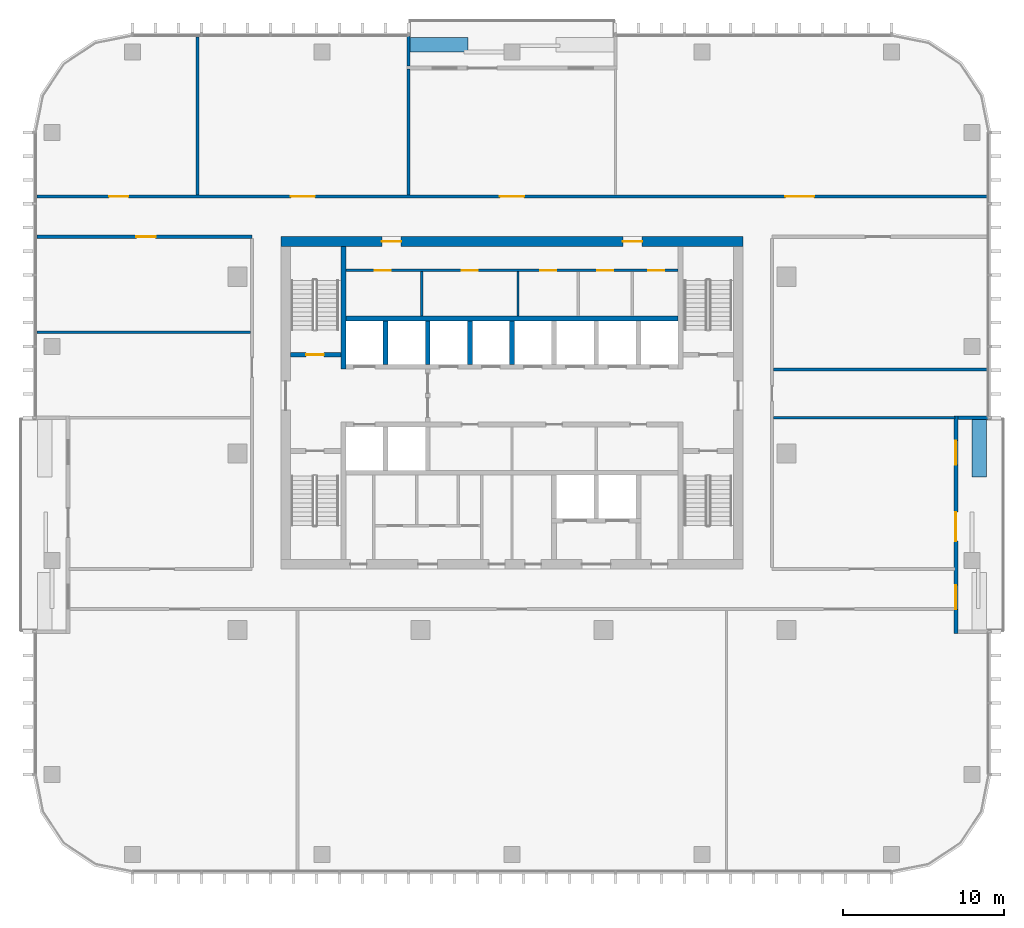
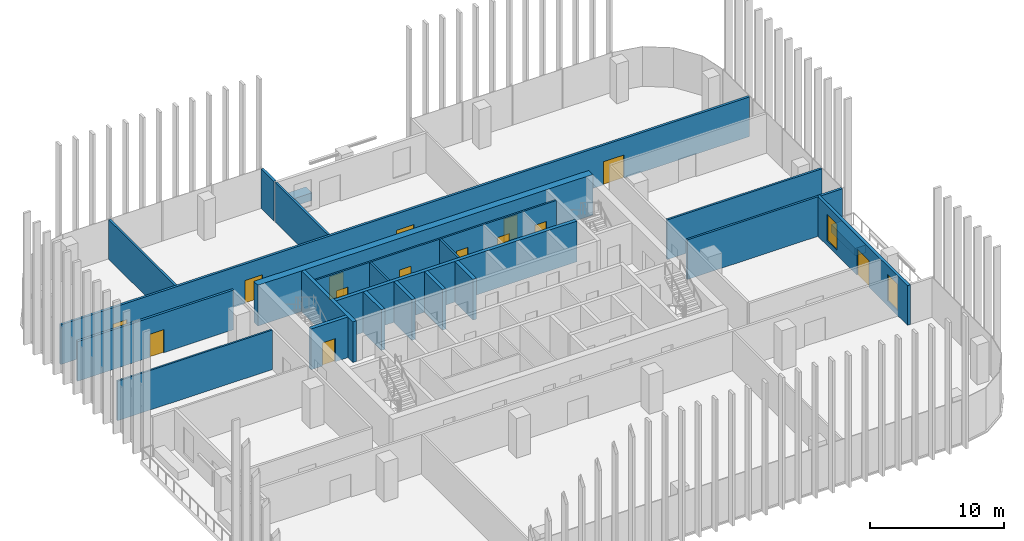
# One storey, part 9 of 16: 23 walls, 14 doors, 2 windows, 16 openings.
"""IFC4 building model written with IfcOpenShell, lengths in metres."""

from ifc_helpers import new_model, si_unit, direction, frame, frame_2d, origin, place, context, subcontext, project, spatial, rectangle, extrude, material, layer, layer_set, type_object, element, fill, save


model = new_model("IFC4")

# Units and contexts
model_context = context("Model", 3, precision=1e-05, world=origin(), true_north=direction((0.0, 1.0)))
body_context = subcontext(model_context, "Body", "Model", "MODEL_VIEW")
ifc_project = project(units=[si_unit("LENGTHUNIT", "METRE"), si_unit("AREAUNIT", "SQUARE_METRE"), si_unit("VOLUMEUNIT", "CUBIC_METRE"), si_unit("PLANEANGLEUNIT", "RADIAN"), si_unit("MASSUNIT", "GRAM", prefix="KILO")], contexts=[model_context])

# Site, building, storey
site_placement = place(None, origin())
site = spatial("IfcSite", under=ifc_project, at=site_placement, CompositionType="ELEMENT")
building_placement = place(site_placement, origin())
building = spatial("IfcBuilding", under=site, at=building_placement, Name="Mopane Tessera Tower", CompositionType="ELEMENT")
storey_placement = place(building_placement, frame((0.0, 0.0, 267.39990234375)))
storey = spatial("IfcBuildingStorey", under=building, at=storey_placement, Name="L57", CompositionType="ELEMENT", Elevation=267.39990234375)

# Walls
ifc_material_1 = material(Name="Fire-rated gypsum board partition")
ifc_layer_1 = layer(ifc_material_1, 0.14990234375)
ifc_layer_set_1 = layer_set([ifc_layer_1], Name="Fire-rated gypsum board partition")
wall_type_1 = type_object("IfcWallType", Name="Core room partition 150 mm", PredefinedType="PARTITIONING", material=ifc_layer_set_1)
for number, where, z_axis, x_axis, name in (
    (1, (-5.625, 8.550048828125, 0.0), (0.0, 0.0, 1.0), (0.0, 1.0, 0.0), "L57 Room partition"),
    (2, (0.375, 8.550048828125, 0.0), (0.0, 0.0, 1.0), (0.0, 1.0, 0.0), "L57 Room partition"),
):
    element("IfcWall", number, at=place(storey_placement, frame(where, z_axis=z_axis, x_axis=x_axis)), inside=storey, type_object=wall_type_1, Name=name, PredefinedType="PARTITIONING", context=body_context, shape_type="SweptSolid", body=[
        extrude(rectangle(XDim=2.77490234375, YDim=0.14990234375, at=frame_2d((1.387451171875, 0.0))), origin(), (0.0, 0.0, 1.0), 3.7001953125),
    ])

# Wall, openings, doors
wall_1_placement = place(storey_placement, frame((-10.35009765625, 11.39990234375, 0.0), z_axis=(0.0, 0.0, 1.0), x_axis=(1.0, 0.0, 0.0)))
wall_1 = element("IfcWall", 3, at=wall_1_placement, inside=storey, type_object=wall_type_1, Name="L57 Corridor wall", PredefinedType="PARTITIONING", context=body_context, shape_type="SweptSolid", body=[
    extrude(rectangle(XDim=20.7001953125, YDim=0.14990234375, at=frame_2d((10.35009765625, 0.0))), origin(), (0.0, 0.0, 1.0), 3.7001953125),
])
opening_1_placement = place(wall_1_placement, frame((1.78759765625, 0.0, 0.0)))
opening_1 = element("IfcOpeningElement", 4, at=opening_1_placement, cuts=wall_1, Name="Opening RD1", PredefinedType="OPENING", context=body_context, shape_type="SweptSolid", body=[
    extrude(rectangle(XDim=1.0, YDim=2.10009765625, at=frame_2d((0.5, 1.050048828125))), frame((0.0, 0.0869140625, 0.0), z_axis=(0.0, -1.0, 0.0), x_axis=(1.0, 0.0, 0.0)), (0.0, 0.0, 1.0), 0.173828125),
])
opening_2_placement = place(wall_1_placement, frame((7.22509765625, 0.0, 0.0)))
opening_2 = element("IfcOpeningElement", 5, at=opening_2_placement, cuts=wall_1, Name="Opening RD1", PredefinedType="OPENING", context=body_context, shape_type="SweptSolid", body=[
    extrude(rectangle(XDim=1.0, YDim=2.10009765625, at=frame_2d((0.5, 1.050048828125))), frame((0.0, 0.0869140625, 0.0), z_axis=(0.0, -1.0, 0.0), x_axis=(1.0, 0.0, 0.0)), (0.0, 0.0, 1.0), 0.173828125),
])
opening_3_placement = place(wall_1_placement, frame((12.10009765625, 0.0, 0.0)))
opening_3 = element("IfcOpeningElement", 6, at=opening_3_placement, cuts=wall_1, Name="Opening RD1", PredefinedType="OPENING", context=body_context, shape_type="SweptSolid", body=[
    extrude(rectangle(XDim=1.0, YDim=2.10009765625, at=frame_2d((0.5, 1.050048828125))), frame((0.0, 0.0869140625, 0.0), z_axis=(0.0, -1.0, 0.0), x_axis=(1.0, 0.0, 0.0)), (0.0, 0.0, 1.0), 0.173828125),
])
opening_4_placement = place(wall_1_placement, frame((15.66259765625, 0.0, 0.0)))
opening_4 = element("IfcOpeningElement", 7, at=opening_4_placement, cuts=wall_1, Name="Opening RD1", PredefinedType="OPENING", context=body_context, shape_type="SweptSolid", body=[
    extrude(rectangle(XDim=1.0, YDim=2.10009765625, at=frame_2d((0.5, 1.050048828125))), frame((0.0, 0.0869140625, 0.0), z_axis=(0.0, -1.0, 0.0), x_axis=(1.0, 0.0, 0.0)), (0.0, 0.0, 1.0), 0.173828125),
])
opening_5_placement = place(wall_1_placement, frame((18.85009765625, 0.0, 0.0)))
opening_5 = element("IfcOpeningElement", 8, at=opening_5_placement, cuts=wall_1, Name="Opening RD1", PredefinedType="OPENING", context=body_context, shape_type="SweptSolid", body=[
    extrude(rectangle(XDim=1.0, YDim=2.10009765625, at=frame_2d((0.5, 1.050048828125))), frame((0.0, 0.0869140625, 0.0), z_axis=(0.0, -1.0, 0.0), x_axis=(1.0, 0.0, 0.0)), (0.0, 0.0, 1.0), 0.173828125),
])
ifc_material_2 = material(Name="Timber door", Category="wood")
door_type_1 = type_object("IfcDoorType", Name="Core room door 1000 x 2100", OperationType="SINGLE_SWING_LEFT", PredefinedType="DOOR", material=ifc_material_2)
door_1_placement = place(opening_1_placement, origin())
door_1 = element("IfcDoor", 9, at=door_1_placement, inside=storey, type_object=door_type_1, Name="L57 Room door", OperationType="SINGLE_SWING_LEFT", OverallHeight=2.10009765625, OverallWidth=1.0, PredefinedType="DOOR", context=body_context, shape_type="SweptSolid", body=[
    extrude(rectangle(XDim=1.0, YDim=2.10009765625, at=frame_2d((0.5, 1.050048828125))), frame((0.0, 0.02490234375, 0.0), z_axis=(0.0, -1.0, 0.0), x_axis=(1.0, 0.0, 0.0)), (0.0, 0.0, 1.0), 0.050048828125),
])
fill(opening_1, door_1)
door_2_placement = place(opening_2_placement, origin())
door_2 = element("IfcDoor", 10, at=door_2_placement, inside=storey, type_object=door_type_1, Name="L57 Room door", OperationType="SINGLE_SWING_LEFT", OverallHeight=2.10009765625, OverallWidth=1.0, PredefinedType="DOOR", context=body_context, shape_type="SweptSolid", body=[
    extrude(rectangle(XDim=1.0, YDim=2.10009765625, at=frame_2d((0.5, 1.050048828125))), frame((0.0, 0.02490234375, 0.0), z_axis=(0.0, -1.0, 0.0), x_axis=(1.0, 0.0, 0.0)), (0.0, 0.0, 1.0), 0.050048828125),
])
fill(opening_2, door_2)
door_3_placement = place(opening_3_placement, origin())
door_3 = element("IfcDoor", 11, at=door_3_placement, inside=storey, type_object=door_type_1, Name="L57 Room door", OperationType="SINGLE_SWING_LEFT", OverallHeight=2.10009765625, OverallWidth=1.0, PredefinedType="DOOR", context=body_context, shape_type="SweptSolid", body=[
    extrude(rectangle(XDim=1.0, YDim=2.10009765625, at=frame_2d((0.5, 1.050048828125))), frame((0.0, 0.02490234375, 0.0), z_axis=(0.0, -1.0, 0.0), x_axis=(1.0, 0.0, 0.0)), (0.0, 0.0, 1.0), 0.050048828125),
])
fill(opening_3, door_3)
door_4_placement = place(opening_4_placement, origin())
door_4 = element("IfcDoor", 12, at=door_4_placement, inside=storey, type_object=door_type_1, Name="L57 Room door", OperationType="SINGLE_SWING_LEFT", OverallHeight=2.10009765625, OverallWidth=1.0, PredefinedType="DOOR", context=body_context, shape_type="SweptSolid", body=[
    extrude(rectangle(XDim=1.0, YDim=2.10009765625, at=frame_2d((0.5, 1.050048828125))), frame((0.0, 0.02490234375, 0.0), z_axis=(0.0, -1.0, 0.0), x_axis=(1.0, 0.0, 0.0)), (0.0, 0.0, 1.0), 0.050048828125),
])
fill(opening_4, door_4)
door_5_placement = place(opening_5_placement, origin())
door_5 = element("IfcDoor", 13, at=door_5_placement, inside=storey, type_object=door_type_1, Name="L57 Room door", OperationType="SINGLE_SWING_LEFT", OverallHeight=2.10009765625, OverallWidth=1.0, PredefinedType="DOOR", context=body_context, shape_type="SweptSolid", body=[
    extrude(rectangle(XDim=1.0, YDim=2.10009765625, at=frame_2d((0.5, 1.050048828125))), frame((0.0, 0.02490234375, 0.0), z_axis=(0.0, -1.0, 0.0), x_axis=(1.0, 0.0, 0.0)), (0.0, 0.0, 1.0), 0.050048828125),
])
fill(opening_5, door_5)

ifc_material_3 = material(Name="Concrete C70/85", Category="concrete")
ifc_layer_2 = layer(ifc_material_3, 0.60009765625)
ifc_layer_set_2 = layer_set([ifc_layer_2], Name="Concrete C70/85")
wall_type_2 = type_object("IfcWallType", Name="Core shear wall 600 mm", PredefinedType="SHEAR", material=ifc_layer_set_2)
wall_2_placement = place(storey_placement, frame((-14.39990234375, 13.199951171875, 0.0), z_axis=(0.0, 0.0, 1.0), x_axis=(1.0, 0.0, 0.0)))
wall_2 = element("IfcWall", 14, at=wall_2_placement, inside=storey, type_object=wall_type_2, Name="L57 Core wall north", PredefinedType="SHEAR", context=body_context, shape_type="SweptSolid", body=[
    extrude(rectangle(XDim=28.7998046875, YDim=0.60009765625, at=frame_2d((14.39990234375, 0.0))), origin(), (0.0, 0.0, 1.0), 3.7001953125),
])
opening_6_placement = place(wall_2_placement, frame((6.300048828125, 0.0, 0.0)))
opening_6 = element("IfcOpeningElement", 15, at=opening_6_placement, cuts=wall_2, Name="Opening RD2", PredefinedType="OPENING", context=body_context, shape_type="SweptSolid", body=[
    extrude(rectangle(XDim=1.199951171875, YDim=2.10009765625, at=frame_2d((0.60009765625, 1.050048828125))), frame((0.0, 0.31201171875, 0.0), z_axis=(0.0, -1.0, 0.0), x_axis=(1.0, 0.0, 0.0)), (0.0, 0.0, 1.0), 0.6240234375),
])
opening_7_placement = place(wall_2_placement, frame((21.300048828125, 0.0, 0.0)))
opening_7 = element("IfcOpeningElement", 16, at=opening_7_placement, cuts=wall_2, Name="Opening RD2", PredefinedType="OPENING", context=body_context, shape_type="SweptSolid", body=[
    extrude(rectangle(XDim=1.199951171875, YDim=2.10009765625, at=frame_2d((0.60009765625, 1.050048828125))), frame((0.0, 0.31201171875, 0.0), z_axis=(0.0, -1.0, 0.0), x_axis=(1.0, 0.0, 0.0)), (0.0, 0.0, 1.0), 0.6240234375),
])
ifc_material_4 = material(Name="Timber door", Category="wood")
door_type_2 = type_object("IfcDoorType", Name="Core corridor door 1200 x 2100", OperationType="SINGLE_SWING_LEFT", PredefinedType="DOOR", material=ifc_material_4)
door_6_placement = place(opening_6_placement, origin())
door_6 = element("IfcDoor", 17, at=door_6_placement, inside=storey, type_object=door_type_2, Name="L57 Corridor door", OperationType="SINGLE_SWING_LEFT", OverallHeight=2.10009765625, OverallWidth=1.199951171875, PredefinedType="DOOR", context=body_context, shape_type="SweptSolid", body=[
    extrude(rectangle(XDim=1.199951171875, YDim=2.10009765625, at=frame_2d((0.60009765625, 1.050048828125))), frame((0.0, 0.02490234375, 0.0), z_axis=(0.0, -1.0, 0.0), x_axis=(1.0, 0.0, 0.0)), (0.0, 0.0, 1.0), 0.050048828125),
])
fill(opening_6, door_6)
door_7_placement = place(opening_7_placement, origin())
door_7 = element("IfcDoor", 18, at=door_7_placement, inside=storey, type_object=door_type_2, Name="L57 Corridor door", OperationType="SINGLE_SWING_RIGHT", OverallHeight=2.10009765625, OverallWidth=1.199951171875, PredefinedType="DOOR", context=body_context, shape_type="SweptSolid", body=[
    extrude(rectangle(XDim=1.199951171875, YDim=2.10009765625, at=frame_2d((0.60009765625, 1.050048828125))), frame((0.0, 0.02490234375, 0.0), z_axis=(0.0, -1.0, 0.0), x_axis=(1.0, 0.0, 0.0)), (0.0, 0.0, 1.0), 0.050048828125),
])
fill(opening_7, door_7)

# Walls
ifc_material_5 = material(Name="Concrete C60/75", Category="concrete")
ifc_layer_3 = layer(ifc_material_5, 0.300048828125)
ifc_layer_set_3 = layer_set([ifc_layer_3], Name="Concrete C60/75")
wall_type_3 = type_object("IfcWallType", Name="Core spine wall 300 mm", PredefinedType="SHEAR", material=ifc_layer_set_3)
wall_3_placement = place(storey_placement, frame((-10.5, 5.25, 0.0), z_axis=(0.0, 0.0, 1.0), x_axis=(0.0, 1.0, 0.0)))
element("IfcWall", 19, at=wall_3_placement, inside=storey, type_object=wall_type_3, Name="L57 Core spine wall", PredefinedType="SHEAR", context=body_context, shape_type="SweptSolid", body=[
    extrude(rectangle(XDim=7.64990234375, YDim=0.300048828125, at=frame_2d((3.824951171875, 0.0))), origin(), (0.0, 0.0, 1.0), 3.7001953125),
])
ifc_material_6 = material(Name="Gypsum board on staggered steel studs, double layer each face, acoustic mineral wool infill", Category="steel")
ifc_layer_4 = layer(ifc_material_6, 0.175048828125)
ifc_layer_set_4 = layer_set([ifc_layer_4], Name="Gypsum board on staggered steel studs, double layer each face, acoustic mineral wool infill")
wall_type_4 = type_object("IfcWallType", Name="Gypsum board acoustic partition 175, rated EI 60", PredefinedType="PARTITIONING", material=ifc_layer_set_4)
wall_4_placement = place(storey_placement, frame((16.300048828125, 2.219970703125, 0.0), z_axis=(0.0, 0.0, 1.0), x_axis=(1.0, 0.0, 0.0)))
element("IfcWall", 20, at=wall_4_placement, inside=storey, type_object=wall_type_4, Name="Partition L57:004", PredefinedType="PARTITIONING", context=body_context, shape_type="SweptSolid", body=[
    extrude(rectangle(XDim=11.300048828125, YDim=0.175048828125, at=frame_2d((5.64990234375, 0.0))), origin(), (0.0, 0.0, 1.0), 3.60009765625),
])
wall_5_placement = place(storey_placement, frame((16.300048828125, 5.219970703125, 0.0), z_axis=(0.0, 0.0, 1.0), x_axis=(1.0, 0.0, 0.0)))
element("IfcWall", 21, at=wall_5_placement, inside=storey, type_object=wall_type_4, Name="Partition L57:005", PredefinedType="PARTITIONING", context=body_context, shape_type="SweptSolid", body=[
    extrude(rectangle(XDim=13.300048828125, YDim=0.175048828125, at=frame_2d((6.64990234375, 0.0))), origin(), (0.0, 0.0, 1.0), 3.60009765625),
])
wall_6_placement = place(storey_placement, frame((-19.60009765625, 16.10009765625, 0.0), z_axis=(0.0, 0.0, 1.0), x_axis=(0.0, 1.0, 0.0)))
element("IfcWall", 22, at=wall_6_placement, inside=storey, type_object=wall_type_4, Name="Partition L57:010", PredefinedType="PARTITIONING", context=body_context, shape_type="SweptSolid", body=[
    extrude(rectangle(XDim=9.849853515625, YDim=0.175048828125, at=frame_2d((4.9248046875, 0.0))), origin(), (0.0, 0.0, 1.0), 3.60009765625),
])
wall_7_placement = place(storey_placement, frame((-6.449951171875, 16.10009765625, 0.0), z_axis=(0.0, 0.0, 1.0), x_axis=(0.0, 1.0, 0.0)))
element("IfcWall", 23, at=wall_7_placement, inside=storey, type_object=wall_type_4, Name="Partition L57:013", PredefinedType="PARTITIONING", context=body_context, shape_type="SweptSolid", body=[
    extrude(rectangle(XDim=7.849853515625, YDim=0.175048828125, at=frame_2d((3.9248046875, 0.0))), origin(), (0.0, 0.0, 1.0), 3.60009765625),
])

# Wall, opening, door
ifc_material_7 = material(Name="Gypsum board on steel studs, two layers each face, mineral wool infill", Category="steel")
ifc_layer_5 = layer(ifc_material_7, 0.199951171875)
ifc_layer_set_5 = layer_set([ifc_layer_5], Name="Gypsum board on steel studs, two layers each face, mineral wool infill")
wall_type_5 = type_object("IfcWallType", Name="Gypsum board corridor wall 200, rated EI 60", PredefinedType="PARTITIONING", material=ifc_layer_set_5)
wall_8_placement = place(storey_placement, frame((-29.60009765625, 13.5, 0.0), z_axis=(0.0, 0.0, 1.0), x_axis=(1.0, 0.0, 0.0)))
wall_8 = element("IfcWall", 24, at=wall_8_placement, inside=storey, type_object=wall_type_5, Name="Partition L57:007", PredefinedType="PARTITIONING", context=body_context, shape_type="SweptSolid", body=[
    extrude(rectangle(XDim=13.400146484375, YDim=0.199951171875, at=frame_2d((6.7001953125, 0.0))), origin(), (0.0, 0.0, 1.0), 3.60009765625),
])
opening_8_placement = place(wall_8_placement, frame((6.199951171875, 0.0, 0.0)))
opening_8 = element("IfcOpeningElement", 25, at=opening_8_placement, cuts=wall_8, Name="Opening L57-06", PredefinedType="OPENING", context=body_context, shape_type="SweptSolid", body=[
    extrude(rectangle(XDim=1.199951171875, YDim=2.10009765625, at=frame_2d((0.60009765625, 1.050048828125))), frame((0.0, 0.112060546875, 0.0), z_axis=(0.0, -1.0, 0.0), x_axis=(1.0, 0.0, 0.0)), (0.0, 0.0, 1.0), 0.223876953125),
])
ifc_material_8 = material(Name="Timber veneered steel-framed fire door", Category="steel")
door_type_3 = type_object("IfcDoorType", Name="Fire door FD60 1200 x 2100", OperationType="SINGLE_SWING_LEFT", PredefinedType="DOOR", material=ifc_material_8)
door_8_placement = place(opening_8_placement, origin())
door_8 = element("IfcDoor", 26, at=door_8_placement, inside=storey, type_object=door_type_3, Name="Door L57-06", ObjectType="D15A", OperationType="SINGLE_SWING_RIGHT", OverallHeight=2.10009765625, OverallWidth=1.199951171875, PredefinedType="DOOR", context=body_context, shape_type="SweptSolid", body=[
    extrude(rectangle(XDim=1.199951171875, YDim=2.10009765625, at=frame_2d((0.60009765625, 1.050048828125))), frame((0.0, 0.02490234375, 0.0), z_axis=(0.0, -1.0, 0.0), x_axis=(1.0, 0.0, 0.0)), (0.0, 0.0, 1.0), 0.050048828125),
])
fill(opening_8, door_8)

# Wall, openings, doors
wall_9_placement = place(storey_placement, frame((-29.60009765625, 16.0, 0.0), z_axis=(0.0, 0.0, 1.0), x_axis=(1.0, 0.0, 0.0)))
wall_9 = element("IfcWall", 27, at=wall_9_placement, inside=storey, type_object=wall_type_5, Name="Partition L57:009", PredefinedType="PARTITIONING", context=body_context, shape_type="SweptSolid", body=[
    extrude(rectangle(XDim=59.2001953125, YDim=0.199951171875, at=frame_2d((29.60009765625, 0.0))), origin(), (0.0, 0.0, 1.0), 3.60009765625),
])
opening_9_placement = place(wall_9_placement, frame((46.625, 0.0, 0.0)))
opening_9 = element("IfcOpeningElement", 28, at=opening_9_placement, cuts=wall_9, Name="Opening L57-01", PredefinedType="OPENING", context=body_context, shape_type="SweptSolid", body=[
    extrude(rectangle(XDim=1.800048828125, YDim=2.10009765625, at=frame_2d((0.89990234375, 1.050048828125))), frame((0.0, 0.112060546875, 0.0), z_axis=(0.0, -1.0, 0.0), x_axis=(1.0, 0.0, 0.0)), (0.0, 0.0, 1.0), 0.223876953125),
])
opening_10_placement = place(wall_9_placement, frame((28.85009765625, 0.0, 0.0)))
opening_10 = element("IfcOpeningElement", 29, at=opening_10_placement, cuts=wall_9, Name="Opening L57-04", PredefinedType="OPENING", context=body_context, shape_type="SweptSolid", body=[
    extrude(rectangle(XDim=1.5, YDim=2.10009765625, at=frame_2d((0.75, 1.050048828125))), frame((0.0, 0.112060546875, 0.0), z_axis=(0.0, -1.0, 0.0), x_axis=(1.0, 0.0, 0.0)), (0.0, 0.0, 1.0), 0.223876953125),
])
opening_11_placement = place(wall_9_placement, frame((4.5, 0.0, 0.0)))
opening_11 = element("IfcOpeningElement", 30, at=opening_11_placement, cuts=wall_9, Name="Opening L57-08", PredefinedType="OPENING", context=body_context, shape_type="SweptSolid", body=[
    extrude(rectangle(XDim=1.199951171875, YDim=2.10009765625, at=frame_2d((0.60009765625, 1.050048828125))), frame((0.0, 0.112060546875, 0.0), z_axis=(0.0, -1.0, 0.0), x_axis=(1.0, 0.0, 0.0)), (0.0, 0.0, 1.0), 0.223876953125),
])
opening_12_placement = place(wall_9_placement, frame((15.824951171875, 0.0, 0.0)))
opening_12 = element("IfcOpeningElement", 31, at=opening_12_placement, cuts=wall_9, Name="Opening L57-12", PredefinedType="OPENING", context=body_context, shape_type="SweptSolid", body=[
    extrude(rectangle(XDim=1.5, YDim=2.10009765625, at=frame_2d((0.75, 1.050048828125))), frame((0.0, 0.112060546875, 0.0), z_axis=(0.0, -1.0, 0.0), x_axis=(1.0, 0.0, 0.0)), (0.0, 0.0, 1.0), 0.223876953125),
])
door_9_placement = place(opening_11_placement, origin())
door_9 = element("IfcDoor", 32, at=door_9_placement, inside=storey, type_object=door_type_3, Name="Door L57-08", ObjectType="D15A", OperationType="SINGLE_SWING_LEFT", OverallHeight=2.10009765625, OverallWidth=1.199951171875, PredefinedType="DOOR", context=body_context, shape_type="SweptSolid", body=[
    extrude(rectangle(XDim=1.199951171875, YDim=2.10009765625, at=frame_2d((0.60009765625, 1.050048828125))), frame((0.0, 0.02490234375, 0.0), z_axis=(0.0, -1.0, 0.0), x_axis=(1.0, 0.0, 0.0)), (0.0, 0.0, 1.0), 0.050048828125),
])
fill(opening_11, door_9)
ifc_material_9 = material(Name="Timber veneered steel-framed fire door", Category="steel")
door_type_4 = type_object("IfcDoorType", Name="Fire door pair FD60 1500 x 2100", OperationType="DOUBLE_DOOR_SINGLE_SWING", PredefinedType="DOOR", material=ifc_material_9)
door_10_placement = place(opening_10_placement, origin())
door_10 = element("IfcDoor", 33, at=door_10_placement, inside=storey, type_object=door_type_4, Name="Door L57-04", ObjectType="D17A", OperationType="DOUBLE_DOOR_SINGLE_SWING", OverallHeight=2.10009765625, OverallWidth=1.5, PredefinedType="DOOR", context=body_context, shape_type="SweptSolid", body=[
    extrude(rectangle(XDim=1.5, YDim=2.10009765625, at=frame_2d((0.75, 1.050048828125))), frame((0.0, 0.02490234375, 0.0), z_axis=(0.0, -1.0, 0.0), x_axis=(1.0, 0.0, 0.0)), (0.0, 0.0, 1.0), 0.050048828125),
])
fill(opening_10, door_10)
door_11_placement = place(opening_12_placement, origin())
door_11 = element("IfcDoor", 34, at=door_11_placement, inside=storey, type_object=door_type_4, Name="Door L57-12", ObjectType="D17A", OperationType="DOUBLE_DOOR_SINGLE_SWING", OverallHeight=2.10009765625, OverallWidth=1.5, PredefinedType="DOOR", context=body_context, shape_type="SweptSolid", body=[
    extrude(rectangle(XDim=1.5, YDim=2.10009765625, at=frame_2d((0.75, 1.050048828125))), frame((0.0, 0.02490234375, 0.0), z_axis=(0.0, -1.0, 0.0), x_axis=(1.0, 0.0, 0.0)), (0.0, 0.0, 1.0), 0.050048828125),
])
fill(opening_12, door_11)
ifc_material_10 = material(Name="Timber veneered steel-framed fire door", Category="steel")
door_type_5 = type_object("IfcDoorType", Name="Fire door pair FD60 1800 x 2100", OperationType="DOUBLE_DOOR_SINGLE_SWING", PredefinedType="DOOR", material=ifc_material_10)
door_12_placement = place(opening_9_placement, origin())
door_12 = element("IfcDoor", 35, at=door_12_placement, inside=storey, type_object=door_type_5, Name="Door L57-01", ObjectType="D20A", OperationType="DOUBLE_DOOR_SINGLE_SWING", OverallHeight=2.10009765625, OverallWidth=1.800048828125, PredefinedType="DOOR", context=body_context, shape_type="SweptSolid", body=[
    extrude(rectangle(XDim=1.800048828125, YDim=2.10009765625, at=frame_2d((0.89990234375, 1.050048828125))), frame((0.0, 0.02490234375, 0.0), z_axis=(0.0, -1.0, 0.0), x_axis=(1.0, 0.0, 0.0)), (0.0, 0.0, 1.0), 0.050048828125),
])
fill(opening_9, door_12)

# Wall
ifc_material_11 = material(Name="Gypsum board on steel studs, mineral wool infill", Category="steel")
ifc_layer_6 = layer(ifc_material_11, 0.14990234375)
ifc_layer_set_6 = layer_set([ifc_layer_6], Name="Gypsum board on steel studs, mineral wool infill")
wall_type_6 = type_object("IfcWallType", Name="Gypsum board partition 150, rated EI 60", PredefinedType="PARTITIONING", material=ifc_layer_set_6)
wall_10_placement = place(storey_placement, frame((-29.60009765625, 7.5400390625, 0.0), z_axis=(0.0, 0.0, 1.0), x_axis=(1.0, 0.0, 0.0)))
element("IfcWall", 36, at=wall_10_placement, inside=storey, type_object=wall_type_6, Name="Partition L57:006", PredefinedType="PARTITIONING", context=body_context, shape_type="SweptSolid", body=[
    extrude(rectangle(XDim=13.300048828125, YDim=0.14990234375, at=frame_2d((6.64990234375, 0.0))), origin(), (0.0, 0.0, 1.0), 3.60009765625),
])

# Wall, opening, door
ifc_material_12 = material(Name="Concrete C50/60", Category="concrete")
ifc_layer_7 = layer(ifc_material_12, 0.300048828125)
ifc_layer_set_7 = layer_set([ifc_layer_7], Name="Concrete C50/60")
wall_type_7 = type_object("IfcWallType", Name="Lift and stair shaft wall 300 mm", PredefinedType="SOLIDWALL", material=ifc_layer_set_7)
wall_11_placement = place(storey_placement, frame((-13.800048828125, 6.14990234375, 0.0), z_axis=(0.0, 0.0, 1.0), x_axis=(1.0, 0.0, 0.0)))
wall_11 = element("IfcWall", 37, at=wall_11_placement, inside=storey, type_object=wall_type_7, Name="L57 Stair enclosure wall", PredefinedType="SOLIDWALL", context=body_context, shape_type="SweptSolid", body=[
    extrude(rectangle(XDim=3.150146484375, YDim=0.300048828125, at=frame_2d((1.5751953125, 0.0))), origin(), (0.0, 0.0, 1.0), 3.7001953125),
])
opening_13_placement = place(wall_11_placement, frame((0.97509765625, 0.0, 0.0)))
opening_13 = element("IfcOpeningElement", 38, at=opening_13_placement, cuts=wall_11, Name="Opening SD1", PredefinedType="OPENING", context=body_context, shape_type="SweptSolid", body=[
    extrude(rectangle(XDim=1.10009765625, YDim=2.10009765625, at=frame_2d((0.550048828125, 1.050048828125))), frame((0.0, 0.162109375, 0.0), z_axis=(0.0, -1.0, 0.0), x_axis=(1.0, 0.0, 0.0)), (0.0, 0.0, 1.0), 0.323974609375),
])
ifc_material_13 = material(Name="Steel fire door", Category="steel")
door_type_6 = type_object("IfcDoorType", Name="Stair fire door 1100 x 2100", OperationType="SINGLE_SWING_LEFT", PredefinedType="DOOR", material=ifc_material_13)
door_13_placement = place(opening_13_placement, origin())
door_13 = element("IfcDoor", 39, at=door_13_placement, inside=storey, type_object=door_type_6, Name="L57 Stair door ST2", OperationType="SINGLE_SWING_LEFT", OverallHeight=2.10009765625, OverallWidth=1.10009765625, PredefinedType="DOOR", context=body_context, shape_type="SweptSolid", body=[
    extrude(rectangle(XDim=1.10009765625, YDim=2.10009765625, at=frame_2d((0.550048828125, 1.050048828125))), frame((0.0, 0.02490234375, 0.0), z_axis=(0.0, -1.0, 0.0), x_axis=(1.0, 0.0, 0.0)), (0.0, 0.0, 1.0), 0.050048828125),
])
fill(opening_13, door_13)

# Walls
wall_12_placement = place(storey_placement, frame((-10.35009765625, 8.39990234375, 0.0), z_axis=(0.0, 0.0, 1.0), x_axis=(1.0, 0.0, 0.0)))
element("IfcWall", 40, at=wall_12_placement, inside=storey, type_object=wall_type_7, Name="L57 Lift shaft rear wall", PredefinedType="SOLIDWALL", context=body_context, shape_type="SweptSolid", body=[
    extrude(rectangle(XDim=20.7001953125, YDim=0.300048828125, at=frame_2d((10.35009765625, 0.0))), origin(), (0.0, 0.0, 1.0), 3.7001953125),
])
for number, where, z_axis, x_axis, name in (
    (41, (-7.875, 5.550048828125, 0.0), (0.0, 0.0, 1.0), (0.0, 1.0, 0.0), "L57 Lift shaft wall"),
    (42, (-5.25, 5.550048828125, 0.0), (0.0, 0.0, 1.0), (0.0, 1.0, 0.0), "L57 Lift shaft wall"),
    (43, (-2.625, 5.550048828125, 0.0), (0.0, 0.0, 1.0), (0.0, 1.0, 0.0), "L57 Lift shaft wall"),
    (44, (0.0, 5.550048828125, 0.0), (0.0, 0.0, 1.0), (0.0, 1.0, 0.0), "L57 Lift shaft wall"),
):
    element("IfcWall", number, at=place(storey_placement, frame(where, z_axis=z_axis, x_axis=x_axis)), inside=storey, type_object=wall_type_7, Name=name, PredefinedType="SOLIDWALL", context=body_context, shape_type="SweptSolid", body=[
        extrude(rectangle(XDim=2.699951171875, YDim=0.300048828125, at=frame_2d((1.35009765625, 0.0))), origin(), (0.0, 0.0, 1.0), 3.7001953125),
    ])
ifc_material_14 = material(Name="Reinforced concrete C32/40 with waterproofing", Category="concrete")
ifc_layer_8 = layer(ifc_material_14, 0.89990234375)
ifc_layer_set_8 = layer_set([ifc_layer_8], Name="Reinforced concrete C32/40 with waterproofing")
wall_type_8 = type_object("IfcWallType", Name="Planter trough 3600 x 900", PredefinedType="STANDARD", material=ifc_layer_set_8)
for number, where, z_axis, x_axis, name in (
    (45, (29.10009765625, -1.477783203125, 0.0), (0.0, 0.0, 1.0), (0.0, 1.0, 0.0), "e:nw:L57:N1:pl1"),
    (46, (-2.75, 25.449951171875, 0.0), (0.0, 0.0, 1.0), (-1.0, 0.0, 0.0), "e:nw:L57:N2:pl1"),
):
    element("IfcWall", number, at=place(storey_placement, frame(where, z_axis=z_axis, x_axis=x_axis)), inside=storey, type_object=wall_type_8, Name=name, PredefinedType="STANDARD", context=body_context, shape_type="SweptSolid", body=[
        extrude(rectangle(XDim=3.60009765625, YDim=0.89990234375, at=frame_2d((1.800048828125, 0.0))), origin(), (0.0, 0.0, 1.0), 0.7001953125),
    ])
ifc_material_15 = material(Name="Blockwork with glazed tile facing", Category="masonry")
ifc_layer_9 = layer(ifc_material_15, 0.199951171875)
ifc_layer_set_9 = layer_set([ifc_layer_9], Name="Blockwork with glazed tile facing")
wall_type_9 = type_object("IfcWallType", Name="Terrace cheek wall 200", PredefinedType="STANDARD", material=ifc_layer_set_9)
for number, where, z_axis, x_axis, name in (
    (47, (29.64990234375, 2.22216796875, 0.0), (0.0, 0.0, 1.0), (-1.0, 0.0, 0.0), "e:nw:L57:N1:cheekb"),
    (48, (-6.449951171875, 26.0, 0.0), (0.0, 0.0, 1.0), (0.0, -1.0, 0.0), "e:nw:L57:N2:cheekb"),
):
    element("IfcWall", number, at=place(storey_placement, frame(where, z_axis=z_axis, x_axis=x_axis)), inside=storey, type_object=wall_type_9, Name=name, PredefinedType="STANDARD", context=body_context, shape_type="SweptSolid", body=[
        extrude(rectangle(XDim=1.875, YDim=0.199951171875, at=frame_2d((0.9375, 0.0))), origin(), (0.0, 0.0, 1.0), 3.60009765625),
    ])

# Wall, openings, windows, door
ifc_material_16 = material(Name="Blockwork with turquoise glazed tile facing", Category="masonry")
ifc_layer_10 = layer(ifc_material_16, 0.25)
ifc_layer_set_10 = layer_set([ifc_layer_10], Name="Blockwork with turquoise glazed tile facing")
wall_type_10 = type_object("IfcWallType", Name="Tile-clad external wall 250, turquoise", PredefinedType="STANDARD", material=ifc_layer_set_10)
wall_13_placement = place(storey_placement, frame((27.64990234375, -11.211181640625, 0.0), z_axis=(0.0, 0.0, 1.0), x_axis=(0.0, 1.0, 0.0)))
wall_13 = element("IfcWall", 49, at=wall_13_placement, inside=storey, type_object=wall_type_10, Name="e:nw:L57:N1:back", PredefinedType="STANDARD", context=body_context, shape_type="SweptSolid", body=[
    extrude(rectangle(XDim=13.533447265625, YDim=0.25, at=frame_2d((6.7666015625, 0.0))), origin(), (0.0, 0.0, 1.0), 3.60009765625),
])
opening_14_placement = place(wall_13_placement, frame((1.5, 0.0, 0.449951171875)))
opening_14 = element("IfcOpeningElement", 50, at=opening_14_placement, cuts=wall_13, Name="Opening NW571A", PredefinedType="OPENING", context=body_context, shape_type="SweptSolid", body=[
    extrude(rectangle(XDim=1.5, YDim=2.39990234375, at=frame_2d((0.75, 1.199951171875))), frame((0.0, 0.136962890625, 0.0), z_axis=(0.0, -1.0, 0.0), x_axis=(1.0, 0.0, 0.0)), (0.0, 0.0, 1.0), 0.27392578125),
])
opening_15_placement = place(wall_13_placement, frame((5.75, 0.0, 0.0)))
opening_15 = element("IfcOpeningElement", 51, at=opening_15_placement, cuts=wall_13, Name="Opening ND571", PredefinedType="OPENING", context=body_context, shape_type="SweptSolid", body=[
    extrude(rectangle(XDim=1.800048828125, YDim=2.39990234375, at=frame_2d((0.89990234375, 1.199951171875))), frame((0.0, 0.136962890625, 0.0), z_axis=(0.0, -1.0, 0.0), x_axis=(1.0, 0.0, 0.0)), (0.0, 0.0, 1.0), 0.27392578125),
])
opening_16_placement = place(wall_13_placement, frame((10.5, 0.0, 0.449951171875)))
opening_16 = element("IfcOpeningElement", 52, at=opening_16_placement, cuts=wall_13, Name="Opening NW571B", PredefinedType="OPENING", context=body_context, shape_type="SweptSolid", body=[
    extrude(rectangle(XDim=1.5, YDim=2.39990234375, at=frame_2d((0.75, 1.199951171875))), frame((0.0, 0.136962890625, 0.0), z_axis=(0.0, -1.0, 0.0), x_axis=(1.0, 0.0, 0.0)), (0.0, 0.0, 1.0), 0.27392578125),
])
ifc_material_17 = material(Name="Clear laminated glass", Category="glass")
window_type = type_object("IfcWindowType", Name="Fixed window 1500 x 2400", PartitioningType="SINGLE_PANEL", PredefinedType="WINDOW", material=ifc_material_17)
window_1_placement = place(opening_14_placement, origin())
window_1 = element("IfcWindow", 53, at=window_1_placement, inside=storey, type_object=window_type, Name="e:nw:L57:N1:win0", OverallHeight=2.39990234375, OverallWidth=1.5, PartitioningType="SINGLE_PANEL", PredefinedType="WINDOW", context=body_context, shape_type="SweptSolid", body=[
    extrude(rectangle(XDim=1.5, YDim=2.39990234375, at=frame_2d((0.75, 1.199951171875))), frame((0.0, 0.030029296875, 0.0), z_axis=(0.0, -1.0, 0.0), x_axis=(1.0, 0.0, 0.0)), (0.0, 0.0, 1.0), 0.06005859375),
])
fill(opening_14, window_1)
window_2_placement = place(opening_16_placement, origin())
window_2 = element("IfcWindow", 54, at=window_2_placement, inside=storey, type_object=window_type, Name="e:nw:L57:N1:win2", OverallHeight=2.39990234375, OverallWidth=1.5, PartitioningType="SINGLE_PANEL", PredefinedType="WINDOW", context=body_context, shape_type="SweptSolid", body=[
    extrude(rectangle(XDim=1.5, YDim=2.39990234375, at=frame_2d((0.75, 1.199951171875))), frame((0.0, 0.030029296875, 0.0), z_axis=(0.0, -1.0, 0.0), x_axis=(1.0, 0.0, 0.0)), (0.0, 0.0, 1.0), 0.06005859375),
])
fill(opening_16, window_2)
ifc_material_18 = material(Name="Aluminium and clear glass", Category="aluminium")
door_type_7 = type_object("IfcDoorType", Name="Terrace double door 1800 x 2400", OperationType="DOUBLE_DOOR_SINGLE_SWING", PredefinedType="DOOR", material=ifc_material_18)
door_14_placement = place(opening_15_placement, origin())
door_14 = element("IfcDoor", 55, at=door_14_placement, inside=storey, type_object=door_type_7, Name="e:nw:L57:N1:door", ObjectType="D1", OperationType="DOUBLE_DOOR_SINGLE_SWING", OverallHeight=2.39990234375, OverallWidth=1.800048828125, PredefinedType="DOOR", context=body_context, shape_type="SweptSolid", body=[
    extrude(rectangle(XDim=1.800048828125, YDim=2.39990234375, at=frame_2d((0.89990234375, 1.199951171875))), frame((0.0, 0.02490234375, 0.0), z_axis=(0.0, -1.0, 0.0), x_axis=(1.0, 0.0, 0.0)), (0.0, 0.0, 1.0), 0.050048828125),
])
fill(opening_15, door_14)

save(model, "model.ifc")
